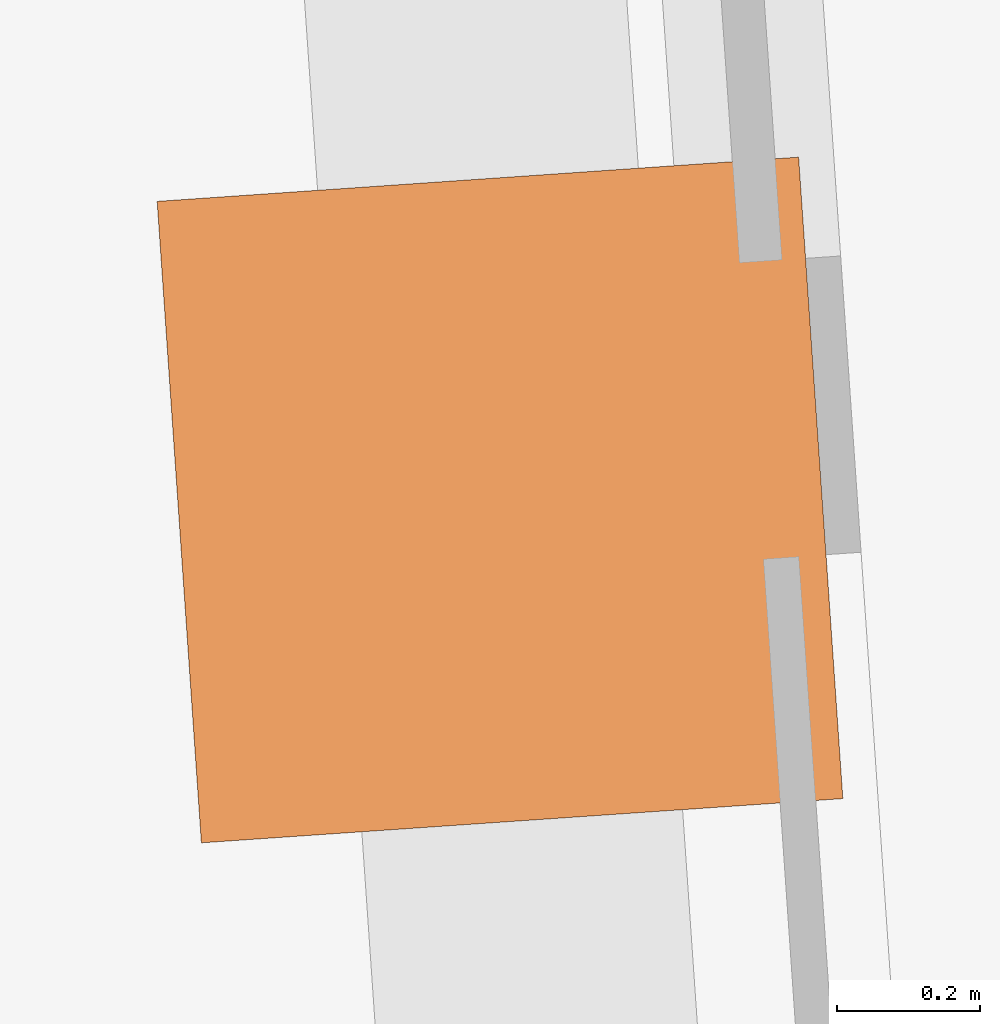
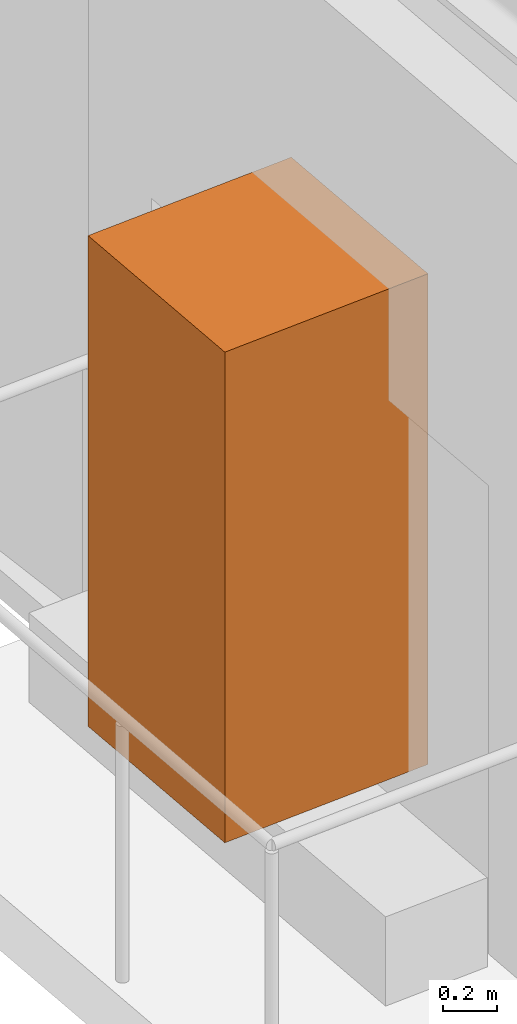
# One storey, part 12 of 12: 1 geographic element.
"""IFC4 building model written with IfcOpenShell, lengths in metres."""

from ifc_helpers import new_model, si_unit, direction, frame, origin, origin_2d, place, context, subcontext, project, spatial, rectangle, extrude, material, type_object, element, save


model = new_model("IFC4")

# Units and contexts
model_context = context("Model", 3, precision=1e-05, world=origin(), true_north=direction((0.0, 1.0)))
body_context = subcontext(model_context, "Body", "Model", "MODEL_VIEW")
ifc_project = project(units=[si_unit("LENGTHUNIT", "METRE"), si_unit("AREAUNIT", "SQUARE_METRE"), si_unit("VOLUMEUNIT", "CUBIC_METRE"), si_unit("PLANEANGLEUNIT", "RADIAN"), si_unit("MASSUNIT", "GRAM", prefix="KILO")], contexts=[model_context])

# Site, building, storey
site_placement = place(None, origin())
site = spatial("IfcSite", under=ifc_project, at=site_placement, CompositionType="ELEMENT")
building_placement = place(site_placement, origin())
building = spatial("IfcBuilding", under=site, at=building_placement, Name="Verdant Reach Tower", CompositionType="ELEMENT")
storey_placement = place(building_placement, frame((0.0, 0.0, 246.0)))
storey = spatial("IfcBuildingStorey", under=building, at=storey_placement, Name="L56", CompositionType="ELEMENT", Elevation=246.0)

# Geographic element
ifc_material = material(Name="Planting")
geographic_element_type = type_object("IfcGeographicElementType", Name="EN-TREE", PredefinedType="USERDEFINED", material=ifc_material)
geographic_element_placement = place(storey_placement, frame((-23.962158203125, 55.19775390625, 0.39990234375), z_axis=(0.0, 0.0, 1.0), x_axis=(0.068802091615, -0.997630328423, 0.0)))
element("IfcGeographicElement", 1, at=geographic_element_placement, inside=storey, type_object=geographic_element_type, Name="Balcony tree, Queen palm (Syagrus romanzoffiana), L56 1", ObjectType="TREE", PredefinedType="USERDEFINED", context=body_context, shape_type="SweptSolid", body=[
    extrude(rectangle(XDim=0.89990234375, YDim=0.89990234375, at=origin_2d()), origin(), (0.0, 0.0, 1.0), 2.199951171875),
])

save(model, "model.ifc")
